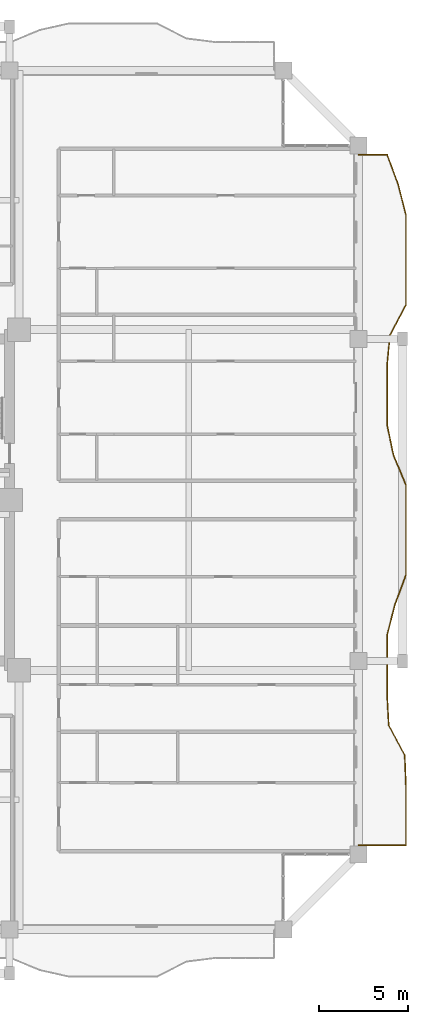
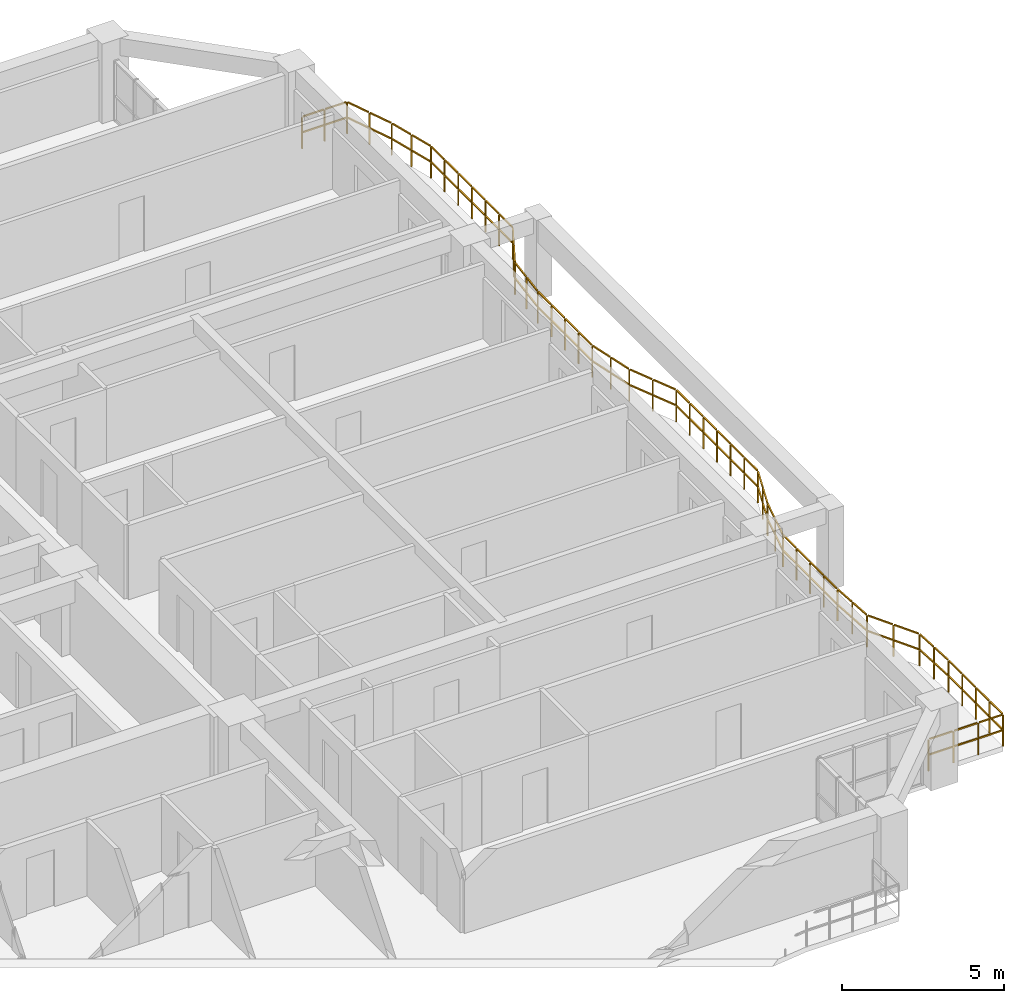
# One storey, part 25 of 26: 1 railing.
"""IFC4 building model written with IfcOpenShell, lengths in metres."""

from ifc_helpers import new_model, si_unit, direction, frame, origin, origin_2d, place, context, subcontext, project, spatial, rectangle, extrude, material, type_object, element, save


model = new_model("IFC4")

# Units and contexts
model_context = context("Model", 3, precision=1e-05, world=origin(), true_north=direction((0.0, 1.0)))
body_context = subcontext(model_context, "Body", "Model", "MODEL_VIEW")
ifc_project = project(units=[si_unit("LENGTHUNIT", "METRE"), si_unit("AREAUNIT", "SQUARE_METRE"), si_unit("VOLUMEUNIT", "CUBIC_METRE"), si_unit("PLANEANGLEUNIT", "RADIAN"), si_unit("MASSUNIT", "GRAM", prefix="KILO")], contexts=[model_context])

# Site, building, storey
site_placement = place(None, origin())
site = spatial("IfcSite", under=ifc_project, at=site_placement, CompositionType="ELEMENT")
building_placement = place(site_placement, origin())
building = spatial("IfcBuilding", under=site, at=building_placement, Name="Saelheon Loggia Tower", CompositionType="ELEMENT")
storey_placement = place(building_placement, frame((0.0, 0.0, 116.85009765625)))
storey = spatial("IfcBuildingStorey", under=building, at=storey_placement, Name="L37", CompositionType="ELEMENT", Elevation=116.85009765625)

# Railing
ifc_material = material(Name="Architectural Precast Concrete and Laminated Glass Guard", Category="concrete")
railing_type = type_object("IfcRailingType", Name="Guard_Loggia_RL_LOG", PredefinedType="BALUSTRADE", material=ifc_material)
railing_placement = place(storey_placement, frame((64.0, 7.699951171875, 0.0)))
element("IfcRailing", 1, at=railing_placement, inside=storey, type_object=railing_type, Name="L37 East Loggia Balustrade", PredefinedType="BALUSTRADE", context=body_context, shape_type="SweptSolid", body=[
    extrude(rectangle(XDim=0.048095703125, YDim=0.048095703125, at=origin_2d()), frame((0.033203125, 0.0, 1.19580078125), z_axis=(1.0, 0.0, 0.0), x_axis=(0.0, 1.0, 0.0)), (0.0, 0.0, 1.0), 0.81689453125),
    extrude(rectangle(XDim=0.048095703125, YDim=0.048095703125, at=origin_2d()), frame((0.033203125, 0.0, 0.60986328125), z_axis=(1.0, 0.0, 0.0), x_axis=(0.0, 1.0, 0.0)), (0.0, 0.0, 1.0), 0.81689453125),
    extrude(rectangle(XDim=0.048095703125, YDim=0.048095703125, at=origin_2d()), frame((0.91650390625, 0.0, 1.19580078125), z_axis=(1.0, 0.0, 0.0), x_axis=(0.0, 1.0, 0.0)), (0.0, 0.0, 1.0), 0.81689453125),
    extrude(rectangle(XDim=0.048095703125, YDim=0.048095703125, at=origin_2d()), frame((0.91650390625, 0.0, 0.60986328125), z_axis=(1.0, 0.0, 0.0), x_axis=(0.0, 1.0, 0.0)), (0.0, 0.0, 1.0), 0.81689453125),
    extrude(rectangle(XDim=0.048095703125, YDim=0.048095703125, at=origin_2d()), frame((1.7998046875, 0.0, 1.19580078125), z_axis=(1.0, 0.0, 0.0), x_axis=(0.0, 1.0, 0.0)), (0.0, 0.0, 1.0), 0.81689453125),
    extrude(rectangle(XDim=0.048095703125, YDim=0.048095703125, at=origin_2d()), frame((1.7998046875, 0.0, 0.60986328125), z_axis=(1.0, 0.0, 0.0), x_axis=(0.0, 1.0, 0.0)), (0.0, 0.0, 1.0), 0.81689453125),
    extrude(rectangle(XDim=0.048095703125, YDim=0.048095703125, at=origin_2d()), frame((2.64990234375, 0.033203125, 1.19580078125), z_axis=(0.0, 1.0, 0.0), x_axis=(-1.0, 0.0, 0.0)), (0.0, 0.0, 1.0), 0.772705078125),
    extrude(rectangle(XDim=0.048095703125, YDim=0.048095703125, at=origin_2d()), frame((2.64990234375, 0.033203125, 0.60986328125), z_axis=(0.0, 1.0, 0.0), x_axis=(-1.0, 0.0, 0.0)), (0.0, 0.0, 1.0), 0.772705078125),
    extrude(rectangle(XDim=0.048095703125, YDim=0.048095703125, at=origin_2d()), frame((2.64990234375, 0.87255859375, 1.19580078125), z_axis=(0.0, 1.0, 0.0), x_axis=(-1.0, 0.0, 0.0)), (0.0, 0.0, 1.0), 0.772705078125),
    extrude(rectangle(XDim=0.048095703125, YDim=0.048095703125, at=origin_2d()), frame((2.64990234375, 0.87255859375, 0.60986328125), z_axis=(0.0, 1.0, 0.0), x_axis=(-1.0, 0.0, 0.0)), (0.0, 0.0, 1.0), 0.772705078125),
    extrude(rectangle(XDim=0.048095703125, YDim=0.048095703125, at=origin_2d()), frame((2.64990234375, 1.711669921875, 1.19580078125), z_axis=(0.0, 1.0, 0.0), x_axis=(-1.0, 0.0, 0.0)), (0.0, 0.0, 1.0), 0.7724609375),
    extrude(rectangle(XDim=0.048095703125, YDim=0.048095703125, at=origin_2d()), frame((2.64990234375, 1.711669921875, 0.60986328125), z_axis=(0.0, 1.0, 0.0), x_axis=(-1.0, 0.0, 0.0)), (0.0, 0.0, 1.0), 0.7724609375),
    extrude(rectangle(XDim=0.048095703125, YDim=0.048095703125, at=origin_2d()), frame((2.64990234375, 2.55078125, 1.19580078125), z_axis=(0.0, 1.0, 0.0), x_axis=(-1.0, 0.0, 0.0)), (0.0, 0.0, 1.0), 0.7724609375),
    extrude(rectangle(XDim=0.048095703125, YDim=0.048095703125, at=origin_2d()), frame((2.64990234375, 2.55078125, 0.60986328125), z_axis=(0.0, 1.0, 0.0), x_axis=(-1.0, 0.0, 0.0)), (0.0, 0.0, 1.0), 0.7724609375),
    extrude(rectangle(XDim=0.048095703125, YDim=0.048095703125, at=origin_2d()), frame((2.648681640625, 3.3896484375, 1.19580078125), z_axis=(-0.038516851919, 0.999257950741, 0.0), x_axis=(-0.999257950741, -0.038516851919, 0.0)), (0.0, 0.0, 1.0), 0.7734375),
    extrude(rectangle(XDim=0.048095703125, YDim=0.048095703125, at=origin_2d()), frame((2.648681640625, 3.3896484375, 0.60986328125), z_axis=(-0.038516851919, 0.999257950741, 0.0), x_axis=(-0.999257950741, -0.038516851919, 0.0)), (0.0, 0.0, 1.0), 0.7734375),
    extrude(rectangle(XDim=0.048095703125, YDim=0.048095703125, at=origin_2d()), frame((2.6162109375, 4.22900390625, 1.19580078125), z_axis=(-0.038516851919, 0.999257950741, 0.0), x_axis=(-0.999257950741, -0.038516851919, 0.0)), (0.0, 0.0, 1.0), 0.7734375),
    extrude(rectangle(XDim=0.048095703125, YDim=0.048095703125, at=origin_2d()), frame((2.6162109375, 4.22900390625, 0.60986328125), z_axis=(-0.038516851919, 0.999257950741, 0.0), x_axis=(-0.999257950741, -0.038516851919, 0.0)), (0.0, 0.0, 1.0), 0.7734375),
    extrude(rectangle(XDim=0.048095703125, YDim=0.048095703125, at=origin_2d()), frame((2.569580078125, 5.064208984375, 1.19580078125), z_axis=(-0.470574910471, 0.88236004762, 0.0), x_axis=(-0.88236004762, -0.470574910471, 0.0)), (0.0, 0.0, 1.0), 0.884521484375),
    extrude(rectangle(XDim=0.048095703125, YDim=0.048095703125, at=origin_2d()), frame((2.569580078125, 5.064208984375, 0.60986328125), z_axis=(-0.470574910471, 0.88236004762, 0.0), x_axis=(-0.88236004762, -0.470574910471, 0.0)), (0.0, 0.0, 1.0), 0.884521484375),
    extrude(rectangle(XDim=0.048095703125, YDim=0.048095703125, at=origin_2d()), frame((2.1220703125, 5.9033203125, 1.19580078125), z_axis=(-0.470574910471, 0.88236004762, 0.0), x_axis=(-0.88236004762, -0.470574910471, 0.0)), (0.0, 0.0, 1.0), 0.884521484375),
    extrude(rectangle(XDim=0.048095703125, YDim=0.048095703125, at=origin_2d()), frame((2.1220703125, 5.9033203125, 0.60986328125), z_axis=(-0.470574910471, 0.88236004762, 0.0), x_axis=(-0.88236004762, -0.470574910471, 0.0)), (0.0, 0.0, 1.0), 0.884521484375),
    extrude(rectangle(XDim=0.048095703125, YDim=0.048095703125, at=origin_2d()), frame((1.6884765625, 6.746337890625, 1.19580078125), z_axis=(-0.053603359192, 0.99856230646, 0.0), x_axis=(-0.99856230646, -0.053603359192, 0.0)), (0.0, 0.0, 1.0), 0.77392578125),
    extrude(rectangle(XDim=0.048095703125, YDim=0.048095703125, at=origin_2d()), frame((1.6884765625, 6.746337890625, 0.60986328125), z_axis=(-0.053603359192, 0.99856230646, 0.0), x_axis=(-0.99856230646, -0.053603359192, 0.0)), (0.0, 0.0, 1.0), 0.77392578125),
    extrude(rectangle(XDim=0.048095703125, YDim=0.048095703125, at=origin_2d()), frame((1.643310546875, 7.58544921875, 1.19580078125), z_axis=(-0.053603359192, 0.99856230646, 0.0), x_axis=(-0.99856230646, -0.053603359192, 0.0)), (0.0, 0.0, 1.0), 0.77392578125),
    extrude(rectangle(XDim=0.048095703125, YDim=0.048095703125, at=origin_2d()), frame((1.643310546875, 7.58544921875, 0.60986328125), z_axis=(-0.053603359192, 0.99856230646, 0.0), x_axis=(-0.99856230646, -0.053603359192, 0.0)), (0.0, 0.0, 1.0), 0.77392578125),
    extrude(rectangle(XDim=0.048095703125, YDim=0.048095703125, at=origin_2d()), frame((1.60009765625, 8.424560546875, 1.19580078125), z_axis=(0.0, 1.0, 0.0), x_axis=(-1.0, 0.0, 0.0)), (0.0, 0.0, 1.0), 0.772705078125),
    extrude(rectangle(XDim=0.048095703125, YDim=0.048095703125, at=origin_2d()), frame((1.60009765625, 8.424560546875, 0.60986328125), z_axis=(0.0, 1.0, 0.0), x_axis=(-1.0, 0.0, 0.0)), (0.0, 0.0, 1.0), 0.772705078125),
    extrude(rectangle(XDim=0.048095703125, YDim=0.048095703125, at=origin_2d()), frame((1.60009765625, 9.263671875, 1.19580078125), z_axis=(0.0, 1.0, 0.0), x_axis=(-1.0, 0.0, 0.0)), (0.0, 0.0, 1.0), 0.772705078125),
    extrude(rectangle(XDim=0.048095703125, YDim=0.048095703125, at=origin_2d()), frame((1.60009765625, 9.263671875, 0.60986328125), z_axis=(0.0, 1.0, 0.0), x_axis=(-1.0, 0.0, 0.0)), (0.0, 0.0, 1.0), 0.772705078125),
    extrude(rectangle(XDim=0.048095703125, YDim=0.048095703125, at=origin_2d()), frame((1.60009765625, 10.102783203125, 1.19580078125), z_axis=(0.0, 1.0, 0.0), x_axis=(-1.0, 0.0, 0.0)), (0.0, 0.0, 1.0), 0.772705078125),
    extrude(rectangle(XDim=0.048095703125, YDim=0.048095703125, at=origin_2d()), frame((1.60009765625, 10.102783203125, 0.60986328125), z_axis=(0.0, 1.0, 0.0), x_axis=(-1.0, 0.0, 0.0)), (0.0, 0.0, 1.0), 0.772705078125),
    extrude(rectangle(XDim=0.048095703125, YDim=0.048095703125, at=origin_2d()), frame((1.60009765625, 10.94189453125, 1.19580078125), z_axis=(0.0, 1.0, 0.0), x_axis=(-1.0, 0.0, 0.0)), (0.0, 0.0, 1.0), 0.772705078125),
    extrude(rectangle(XDim=0.048095703125, YDim=0.048095703125, at=origin_2d()), frame((1.60009765625, 10.94189453125, 0.60986328125), z_axis=(0.0, 1.0, 0.0), x_axis=(-1.0, 0.0, 0.0)), (0.0, 0.0, 1.0), 0.772705078125),
    extrude(rectangle(XDim=0.048095703125, YDim=0.048095703125, at=origin_2d()), frame((1.6083984375, 11.780029296875, 1.19580078125), z_axis=(0.247208698516, 0.968962259006, 0.0), x_axis=(-0.968962259006, 0.247208698516, 0.0)), (0.0, 0.0, 1.0), 0.799560546875),
    extrude(rectangle(XDim=0.048095703125, YDim=0.048095703125, at=origin_2d()), frame((1.6083984375, 11.780029296875, 0.60986328125), z_axis=(0.247208698516, 0.968962259006, 0.0), x_axis=(-0.968962259006, 0.247208698516, 0.0)), (0.0, 0.0, 1.0), 0.799560546875),
    extrude(rectangle(XDim=0.048095703125, YDim=0.048095703125, at=origin_2d()), frame((1.822509765625, 12.619140625, 1.19580078125), z_axis=(0.247208698516, 0.968962259006, 0.0), x_axis=(-0.968962259006, 0.247208698516, 0.0)), (0.0, 0.0, 1.0), 0.799560546875),
    extrude(rectangle(XDim=0.048095703125, YDim=0.048095703125, at=origin_2d()), frame((1.822509765625, 12.619140625, 0.60986328125), z_axis=(0.247208698516, 0.968962259006, 0.0), x_axis=(-0.968962259006, 0.247208698516, 0.0)), (0.0, 0.0, 1.0), 0.799560546875),
    extrude(rectangle(XDim=0.048095703125, YDim=0.048095703125, at=origin_2d()), frame((2.039794921875, 13.45751953125, 1.19580078125), z_axis=(0.347367679111, 0.937729009634, 0.0), x_axis=(-0.937729009634, 0.347367679111, 0.0)), (0.0, 0.0, 1.0), 0.828125),
    extrude(rectangle(XDim=0.048095703125, YDim=0.048095703125, at=origin_2d()), frame((2.039794921875, 13.45751953125, 0.60986328125), z_axis=(0.347367679111, 0.937729009634, 0.0), x_axis=(-0.937729009634, 0.347367679111, 0.0)), (0.0, 0.0, 1.0), 0.828125),
    extrude(rectangle(XDim=0.048095703125, YDim=0.048095703125, at=origin_2d()), frame((2.3505859375, 14.29638671875, 1.19580078125), z_axis=(0.347367679111, 0.937729009634, 0.0), x_axis=(-0.937729009634, 0.347367679111, 0.0)), (0.0, 0.0, 1.0), 0.828125),
    extrude(rectangle(XDim=0.048095703125, YDim=0.048095703125, at=origin_2d()), frame((2.3505859375, 14.29638671875, 0.60986328125), z_axis=(0.347367679111, 0.937729009634, 0.0), x_axis=(-0.937729009634, 0.347367679111, 0.0)), (0.0, 0.0, 1.0), 0.828125),
    extrude(rectangle(XDim=0.048095703125, YDim=0.048095703125, at=origin_2d()), frame((2.64990234375, 15.137451171875, 1.19580078125), z_axis=(0.0, 1.0, 0.0), x_axis=(-1.0, 0.0, 0.0)), (0.0, 0.0, 1.0), 0.772705078125),
    extrude(rectangle(XDim=0.048095703125, YDim=0.048095703125, at=origin_2d()), frame((2.64990234375, 15.137451171875, 0.60986328125), z_axis=(0.0, 1.0, 0.0), x_axis=(-1.0, 0.0, 0.0)), (0.0, 0.0, 1.0), 0.772705078125),
    extrude(rectangle(XDim=0.048095703125, YDim=0.048095703125, at=origin_2d()), frame((2.64990234375, 15.976806640625, 1.19580078125), z_axis=(0.0, 1.0, 0.0), x_axis=(-1.0, 0.0, 0.0)), (0.0, 0.0, 1.0), 0.772705078125),
    extrude(rectangle(XDim=0.048095703125, YDim=0.048095703125, at=origin_2d()), frame((2.64990234375, 15.976806640625, 0.60986328125), z_axis=(0.0, 1.0, 0.0), x_axis=(-1.0, 0.0, 0.0)), (0.0, 0.0, 1.0), 0.772705078125),
    extrude(rectangle(XDim=0.048095703125, YDim=0.048095703125, at=origin_2d()), frame((2.64990234375, 16.81591796875, 1.19580078125), z_axis=(0.0, 1.0, 0.0), x_axis=(-1.0, 0.0, 0.0)), (0.0, 0.0, 1.0), 0.772705078125),
    extrude(rectangle(XDim=0.048095703125, YDim=0.048095703125, at=origin_2d()), frame((2.64990234375, 16.81591796875, 0.60986328125), z_axis=(0.0, 1.0, 0.0), x_axis=(-1.0, 0.0, 0.0)), (0.0, 0.0, 1.0), 0.772705078125),
    extrude(rectangle(XDim=0.048095703125, YDim=0.048095703125, at=origin_2d()), frame((2.64990234375, 17.655029296875, 1.19580078125), z_axis=(0.0, 1.0, 0.0), x_axis=(-1.0, 0.0, 0.0)), (0.0, 0.0, 1.0), 0.772705078125),
    extrude(rectangle(XDim=0.048095703125, YDim=0.048095703125, at=origin_2d()), frame((2.64990234375, 17.655029296875, 0.60986328125), z_axis=(0.0, 1.0, 0.0), x_axis=(-1.0, 0.0, 0.0)), (0.0, 0.0, 1.0), 0.772705078125),
    extrude(rectangle(XDim=0.048095703125, YDim=0.048095703125, at=origin_2d()), frame((2.64990234375, 18.494140625, 1.19580078125), z_axis=(0.0, 1.0, 0.0), x_axis=(-1.0, 0.0, 0.0)), (0.0, 0.0, 1.0), 0.772705078125),
    extrude(rectangle(XDim=0.048095703125, YDim=0.048095703125, at=origin_2d()), frame((2.64990234375, 18.494140625, 0.60986328125), z_axis=(0.0, 1.0, 0.0), x_axis=(-1.0, 0.0, 0.0)), (0.0, 0.0, 1.0), 0.772705078125),
    extrude(rectangle(XDim=0.048095703125, YDim=0.048095703125, at=origin_2d()), frame((2.64990234375, 19.333251953125, 1.19580078125), z_axis=(0.0, 1.0, 0.0), x_axis=(-1.0, 0.0, 0.0)), (0.0, 0.0, 1.0), 0.772705078125),
    extrude(rectangle(XDim=0.048095703125, YDim=0.048095703125, at=origin_2d()), frame((2.64990234375, 19.333251953125, 0.60986328125), z_axis=(0.0, 1.0, 0.0), x_axis=(-1.0, 0.0, 0.0)), (0.0, 0.0, 1.0), 0.772705078125),
    extrude(rectangle(XDim=0.048095703125, YDim=0.048095703125, at=origin_2d()), frame((2.63720703125, 20.169921875, 1.19580078125), z_axis=(-0.384481881871, 0.923132537891, 0.0), x_axis=(-0.923132537891, -0.384481881871, 0.0)), (0.0, 0.0, 1.0), 0.842529296875),
    extrude(rectangle(XDim=0.048095703125, YDim=0.048095703125, at=origin_2d()), frame((2.63720703125, 20.169921875, 0.60986328125), z_axis=(-0.384481881871, 0.923132537891, 0.0), x_axis=(-0.923132537891, -0.384481881871, 0.0)), (0.0, 0.0, 1.0), 0.842529296875),
    extrude(rectangle(XDim=0.048095703125, YDim=0.048095703125, at=origin_2d()), frame((2.28759765625, 21.009033203125, 1.19580078125), z_axis=(-0.384481881871, 0.923132537891, 0.0), x_axis=(-0.923132537891, -0.384481881871, 0.0)), (0.0, 0.0, 1.0), 0.842529296875),
    extrude(rectangle(XDim=0.048095703125, YDim=0.048095703125, at=origin_2d()), frame((2.28759765625, 21.009033203125, 0.60986328125), z_axis=(-0.384481881871, 0.923132537891, 0.0), x_axis=(-0.923132537891, -0.384481881871, 0.0)), (0.0, 0.0, 1.0), 0.842529296875),
    extrude(rectangle(XDim=0.048095703125, YDim=0.048095703125, at=origin_2d()), frame((1.944091796875, 21.849853515625, 1.19580078125), z_axis=(-0.204596686386, 0.978846359711, 0.0), x_axis=(-0.978846359711, -0.204596686386, 0.0)), (0.0, 0.0, 1.0), 0.791015625),
    extrude(rectangle(XDim=0.048095703125, YDim=0.048095703125, at=origin_2d()), frame((1.944091796875, 21.849853515625, 0.60986328125), z_axis=(-0.204596686386, 0.978846359711, 0.0), x_axis=(-0.978846359711, -0.204596686386, 0.0)), (0.0, 0.0, 1.0), 0.791015625),
    extrude(rectangle(XDim=0.048095703125, YDim=0.048095703125, at=origin_2d()), frame((1.768798828125, 22.689208984375, 1.19580078125), z_axis=(-0.204596686386, 0.978846359711, 0.0), x_axis=(-0.978846359711, -0.204596686386, 0.0)), (0.0, 0.0, 1.0), 0.791015625),
    extrude(rectangle(XDim=0.048095703125, YDim=0.048095703125, at=origin_2d()), frame((1.768798828125, 22.689208984375, 0.60986328125), z_axis=(-0.204596686386, 0.978846359711, 0.0), x_axis=(-0.978846359711, -0.204596686386, 0.0)), (0.0, 0.0, 1.0), 0.791015625),
    extrude(rectangle(XDim=0.048095703125, YDim=0.048095703125, at=origin_2d()), frame((1.60009765625, 23.529052734375, 1.19580078125), z_axis=(0.0, 1.0, 0.0), x_axis=(-1.0, 0.0, 0.0)), (0.0, 0.0, 1.0), 0.7724609375),
    extrude(rectangle(XDim=0.048095703125, YDim=0.048095703125, at=origin_2d()), frame((1.60009765625, 23.529052734375, 0.60986328125), z_axis=(0.0, 1.0, 0.0), x_axis=(-1.0, 0.0, 0.0)), (0.0, 0.0, 1.0), 0.7724609375),
    extrude(rectangle(XDim=0.048095703125, YDim=0.048095703125, at=origin_2d()), frame((1.60009765625, 24.3681640625, 1.19580078125), z_axis=(0.0, 1.0, 0.0), x_axis=(-1.0, 0.0, 0.0)), (0.0, 0.0, 1.0), 0.7724609375),
    extrude(rectangle(XDim=0.048095703125, YDim=0.048095703125, at=origin_2d()), frame((1.60009765625, 24.3681640625, 0.60986328125), z_axis=(0.0, 1.0, 0.0), x_axis=(-1.0, 0.0, 0.0)), (0.0, 0.0, 1.0), 0.7724609375),
    extrude(rectangle(XDim=0.048095703125, YDim=0.048095703125, at=origin_2d()), frame((1.60009765625, 25.20703125, 1.19580078125), z_axis=(0.0, 1.0, 0.0), x_axis=(-1.0, 0.0, 0.0)), (0.0, 0.0, 1.0), 0.772705078125),
    extrude(rectangle(XDim=0.048095703125, YDim=0.048095703125, at=origin_2d()), frame((1.60009765625, 25.20703125, 0.60986328125), z_axis=(0.0, 1.0, 0.0), x_axis=(-1.0, 0.0, 0.0)), (0.0, 0.0, 1.0), 0.772705078125),
    extrude(rectangle(XDim=0.048095703125, YDim=0.048095703125, at=origin_2d()), frame((1.60009765625, 26.04638671875, 1.19580078125), z_axis=(0.0, 1.0, 0.0), x_axis=(-1.0, 0.0, 0.0)), (0.0, 0.0, 1.0), 0.772705078125),
    extrude(rectangle(XDim=0.048095703125, YDim=0.048095703125, at=origin_2d()), frame((1.60009765625, 26.04638671875, 0.60986328125), z_axis=(0.0, 1.0, 0.0), x_axis=(-1.0, 0.0, 0.0)), (0.0, 0.0, 1.0), 0.772705078125),
    extrude(rectangle(XDim=0.048095703125, YDim=0.048095703125, at=origin_2d()), frame((1.603271484375, 26.88525390625, 1.19580078125), z_axis=(0.097295853683, 0.995255503304, 0.0), x_axis=(-0.995255503304, 0.097295853683, 0.0)), (0.0, 0.0, 1.0), 0.776611328125),
    extrude(rectangle(XDim=0.048095703125, YDim=0.048095703125, at=origin_2d()), frame((1.603271484375, 26.88525390625, 0.60986328125), z_axis=(0.097295853683, 0.995255503304, 0.0), x_axis=(-0.995255503304, 0.097295853683, 0.0)), (0.0, 0.0, 1.0), 0.776611328125),
    extrude(rectangle(XDim=0.048095703125, YDim=0.048095703125, at=origin_2d()), frame((1.685302734375, 27.724365234375, 1.19580078125), z_axis=(0.097295853683, 0.995255503304, 0.0), x_axis=(-0.995255503304, 0.097295853683, 0.0)), (0.0, 0.0, 1.0), 0.776611328125),
    extrude(rectangle(XDim=0.048095703125, YDim=0.048095703125, at=origin_2d()), frame((1.685302734375, 27.724365234375, 0.60986328125), z_axis=(0.097295853683, 0.995255503304, 0.0), x_axis=(-0.995255503304, 0.097295853683, 0.0)), (0.0, 0.0, 1.0), 0.776611328125),
    extrude(rectangle(XDim=0.048095703125, YDim=0.048095703125, at=origin_2d()), frame((1.77978515625, 28.559814453125, 1.19580078125), z_axis=(0.466764209915, 0.884381802358, 0.0), x_axis=(-0.884381802358, 0.466764209915, 0.0)), (0.0, 0.0, 1.0), 0.88232421875),
    extrude(rectangle(XDim=0.048095703125, YDim=0.048095703125, at=origin_2d()), frame((1.77978515625, 28.559814453125, 0.60986328125), z_axis=(0.466764209915, 0.884381802358, 0.0), x_axis=(-0.884381802358, 0.466764209915, 0.0)), (0.0, 0.0, 1.0), 0.88232421875),
    extrude(rectangle(XDim=0.048095703125, YDim=0.048095703125, at=origin_2d()), frame((2.22265625, 29.39892578125, 1.19580078125), z_axis=(0.466764209915, 0.884381802358, 0.0), x_axis=(-0.884381802358, 0.466764209915, 0.0)), (0.0, 0.0, 1.0), 0.88232421875),
    extrude(rectangle(XDim=0.048095703125, YDim=0.048095703125, at=origin_2d()), frame((2.22265625, 29.39892578125, 0.60986328125), z_axis=(0.466764209915, 0.884381802358, 0.0), x_axis=(-0.884381802358, 0.466764209915, 0.0)), (0.0, 0.0, 1.0), 0.88232421875),
    extrude(rectangle(XDim=0.048095703125, YDim=0.048095703125, at=origin_2d()), frame((2.64990234375, 30.241943359375, 1.19580078125), z_axis=(0.0, 1.0, 0.0), x_axis=(-1.0, 0.0, 0.0)), (0.0, 0.0, 1.0), 0.772705078125),
    extrude(rectangle(XDim=0.048095703125, YDim=0.048095703125, at=origin_2d()), frame((2.64990234375, 30.241943359375, 0.60986328125), z_axis=(0.0, 1.0, 0.0), x_axis=(-1.0, 0.0, 0.0)), (0.0, 0.0, 1.0), 0.772705078125),
    extrude(rectangle(XDim=0.048095703125, YDim=0.048095703125, at=origin_2d()), frame((2.64990234375, 31.0810546875, 1.19580078125), z_axis=(0.0, 1.0, 0.0), x_axis=(-1.0, 0.0, 0.0)), (0.0, 0.0, 1.0), 0.772705078125),
    extrude(rectangle(XDim=0.048095703125, YDim=0.048095703125, at=origin_2d()), frame((2.64990234375, 31.0810546875, 0.60986328125), z_axis=(0.0, 1.0, 0.0), x_axis=(-1.0, 0.0, 0.0)), (0.0, 0.0, 1.0), 0.772705078125),
    extrude(rectangle(XDim=0.048095703125, YDim=0.048095703125, at=origin_2d()), frame((2.64990234375, 31.920166015625, 1.19580078125), z_axis=(0.0, 1.0, 0.0), x_axis=(-1.0, 0.0, 0.0)), (0.0, 0.0, 1.0), 0.772705078125),
    extrude(rectangle(XDim=0.048095703125, YDim=0.048095703125, at=origin_2d()), frame((2.64990234375, 31.920166015625, 0.60986328125), z_axis=(0.0, 1.0, 0.0), x_axis=(-1.0, 0.0, 0.0)), (0.0, 0.0, 1.0), 0.772705078125),
    extrude(rectangle(XDim=0.048095703125, YDim=0.048095703125, at=origin_2d()), frame((2.64990234375, 32.75927734375, 1.19580078125), z_axis=(0.0, 1.0, 0.0), x_axis=(-1.0, 0.0, 0.0)), (0.0, 0.0, 1.0), 0.772705078125),
    extrude(rectangle(XDim=0.048095703125, YDim=0.048095703125, at=origin_2d()), frame((2.64990234375, 32.75927734375, 0.60986328125), z_axis=(0.0, 1.0, 0.0), x_axis=(-1.0, 0.0, 0.0)), (0.0, 0.0, 1.0), 0.772705078125),
    extrude(rectangle(XDim=0.048095703125, YDim=0.048095703125, at=origin_2d()), frame((2.64990234375, 33.598388671875, 1.19580078125), z_axis=(0.0, 1.0, 0.0), x_axis=(-1.0, 0.0, 0.0)), (0.0, 0.0, 1.0), 0.772705078125),
    extrude(rectangle(XDim=0.048095703125, YDim=0.048095703125, at=origin_2d()), frame((2.64990234375, 33.598388671875, 0.60986328125), z_axis=(0.0, 1.0, 0.0), x_axis=(-1.0, 0.0, 0.0)), (0.0, 0.0, 1.0), 0.772705078125),
    extrude(rectangle(XDim=0.048095703125, YDim=0.048095703125, at=origin_2d()), frame((2.64990234375, 34.437744140625, 1.19580078125), z_axis=(0.0, 1.0, 0.0), x_axis=(-1.0, 0.0, 0.0)), (0.0, 0.0, 1.0), 0.772705078125),
    extrude(rectangle(XDim=0.048095703125, YDim=0.048095703125, at=origin_2d()), frame((2.64990234375, 34.437744140625, 0.60986328125), z_axis=(0.0, 1.0, 0.0), x_axis=(-1.0, 0.0, 0.0)), (0.0, 0.0, 1.0), 0.772705078125),
    extrude(rectangle(XDim=0.048095703125, YDim=0.048095703125, at=origin_2d()), frame((2.6416015625, 35.27587890625, 1.19580078125), z_axis=(-0.248334659432, 0.968674298681, 0.0), x_axis=(-0.968674298681, -0.248334659432, 0.0)), (0.0, 0.0, 1.0), 0.799560546875),
    extrude(rectangle(XDim=0.048095703125, YDim=0.048095703125, at=origin_2d()), frame((2.6416015625, 35.27587890625, 0.60986328125), z_axis=(-0.248334659432, 0.968674298681, 0.0), x_axis=(-0.968674298681, -0.248334659432, 0.0)), (0.0, 0.0, 1.0), 0.799560546875),
    extrude(rectangle(XDim=0.048095703125, YDim=0.048095703125, at=origin_2d()), frame((2.426513671875, 36.11474609375, 1.19580078125), z_axis=(-0.248334659432, 0.968674298681, 0.0), x_axis=(-0.968674298681, -0.248334659432, 0.0)), (0.0, 0.0, 1.0), 0.799560546875),
    extrude(rectangle(XDim=0.048095703125, YDim=0.048095703125, at=origin_2d()), frame((2.426513671875, 36.11474609375, 0.60986328125), z_axis=(-0.248334659432, 0.968674298681, 0.0), x_axis=(-0.968674298681, -0.248334659432, 0.0)), (0.0, 0.0, 1.0), 0.799560546875),
    extrude(rectangle(XDim=0.048095703125, YDim=0.048095703125, at=origin_2d()), frame((2.208251953125, 36.952880859375, 1.19580078125), z_axis=(-0.346318659518, 0.938116936245, 0.0), x_axis=(-0.938116936245, -0.346318659518, 0.0)), (0.0, 0.0, 1.0), 0.828125),
    extrude(rectangle(XDim=0.048095703125, YDim=0.048095703125, at=origin_2d()), frame((2.208251953125, 36.952880859375, 0.60986328125), z_axis=(-0.346318659518, 0.938116936245, 0.0), x_axis=(-0.938116936245, -0.346318659518, 0.0)), (0.0, 0.0, 1.0), 0.828125),
    extrude(rectangle(XDim=0.048095703125, YDim=0.048095703125, at=origin_2d()), frame((1.8984375, 37.7919921875, 1.19580078125), z_axis=(-0.346318659518, 0.938116936245, 0.0), x_axis=(-0.938116936245, -0.346318659518, 0.0)), (0.0, 0.0, 1.0), 0.828125),
    extrude(rectangle(XDim=0.048095703125, YDim=0.048095703125, at=origin_2d()), frame((1.8984375, 37.7919921875, 0.60986328125), z_axis=(-0.346318659518, 0.938116936245, 0.0), x_axis=(-0.938116936245, -0.346318659518, 0.0)), (0.0, 0.0, 1.0), 0.828125),
    extrude(rectangle(XDim=0.048095703125, YDim=0.048095703125, at=origin_2d()), frame((1.56689453125, 38.60009765625, 1.19580078125), z_axis=(-1.0, 0.0, 0.0), x_axis=(0.0, -1.0, 0.0)), (0.0, 0.0, 1.0), 0.733642578125),
    extrude(rectangle(XDim=0.048095703125, YDim=0.048095703125, at=origin_2d()), frame((1.56689453125, 38.60009765625, 0.60986328125), z_axis=(-1.0, 0.0, 0.0), x_axis=(0.0, -1.0, 0.0)), (0.0, 0.0, 1.0), 0.733642578125),
    extrude(rectangle(XDim=0.048095703125, YDim=0.048095703125, at=origin_2d()), frame((0.766845703125, 38.60009765625, 1.19580078125), z_axis=(-1.0, 0.0, 0.0), x_axis=(0.0, -1.0, 0.0)), (0.0, 0.0, 1.0), 0.733642578125),
    extrude(rectangle(XDim=0.048095703125, YDim=0.048095703125, at=origin_2d()), frame((0.766845703125, 38.60009765625, 0.60986328125), z_axis=(-1.0, 0.0, 0.0), x_axis=(0.0, -1.0, 0.0)), (0.0, 0.0, 1.0), 0.733642578125),
    extrude(rectangle(XDim=0.0419921875, YDim=0.0419921875, at=origin_2d()), origin(), (0.0, 0.0, 1.0), 1.16796875),
    extrude(rectangle(XDim=0.0419921875, YDim=0.0419921875, at=origin_2d()), frame((0.88330078125, 0.0, 0.0)), (0.0, 0.0, 1.0), 1.16796875),
    extrude(rectangle(XDim=0.0419921875, YDim=0.0419921875, at=origin_2d()), frame((1.7666015625, 0.0, 0.0)), (0.0, 0.0, 1.0), 1.16796875),
    extrude(rectangle(XDim=0.0419921875, YDim=0.0419921875, at=origin_2d()), frame((2.64990234375, 0.0, 0.0)), (0.0, 0.0, 1.0), 1.16796875),
    extrude(rectangle(XDim=0.0419921875, YDim=0.0419921875, at=origin_2d()), frame((2.64990234375, 0.83935546875, 0.0)), (0.0, 0.0, 1.0), 1.16796875),
    extrude(rectangle(XDim=0.0419921875, YDim=0.0419921875, at=origin_2d()), frame((2.64990234375, 1.678466796875, 0.0)), (0.0, 0.0, 1.0), 1.16796875),
    extrude(rectangle(XDim=0.0419921875, YDim=0.0419921875, at=origin_2d()), frame((2.64990234375, 2.517578125, 0.0)), (0.0, 0.0, 1.0), 1.16796875),
    extrude(rectangle(XDim=0.0419921875, YDim=0.0419921875, at=origin_2d()), frame((2.64990234375, 3.3564453125, 0.0)), (0.0, 0.0, 1.0), 1.16796875),
    extrude(rectangle(XDim=0.0419921875, YDim=0.0419921875, at=origin_2d()), frame((2.61767578125, 4.19580078125, 0.0)), (0.0, 0.0, 1.0), 1.16796875),
    extrude(rectangle(XDim=0.0419921875, YDim=0.0419921875, at=origin_2d()), frame((2.585205078125, 5.034912109375, 0.0)), (0.0, 0.0, 1.0), 1.16796875),
    extrude(rectangle(XDim=0.0419921875, YDim=0.0419921875, at=origin_2d()), frame((2.1376953125, 5.8740234375, 0.0)), (0.0, 0.0, 1.0), 1.16796875),
    extrude(rectangle(XDim=0.0419921875, YDim=0.0419921875, at=origin_2d()), frame((1.690185546875, 6.713134765625, 0.0)), (0.0, 0.0, 1.0), 1.16796875),
    extrude(rectangle(XDim=0.0419921875, YDim=0.0419921875, at=origin_2d()), frame((1.64501953125, 7.55224609375, 0.0)), (0.0, 0.0, 1.0), 1.16796875),
    extrude(rectangle(XDim=0.0419921875, YDim=0.0419921875, at=origin_2d()), frame((1.60009765625, 8.391357421875, 0.0)), (0.0, 0.0, 1.0), 1.16796875),
    extrude(rectangle(XDim=0.0419921875, YDim=0.0419921875, at=origin_2d()), frame((1.60009765625, 9.23046875, 0.0)), (0.0, 0.0, 1.0), 1.16796875),
    extrude(rectangle(XDim=0.0419921875, YDim=0.0419921875, at=origin_2d()), frame((1.60009765625, 10.069580078125, 0.0)), (0.0, 0.0, 1.0), 1.16796875),
    extrude(rectangle(XDim=0.0419921875, YDim=0.0419921875, at=origin_2d()), frame((1.60009765625, 10.90869140625, 0.0)), (0.0, 0.0, 1.0), 1.16796875),
    extrude(rectangle(XDim=0.0419921875, YDim=0.0419921875, at=origin_2d()), frame((1.60009765625, 11.747802734375, 0.0)), (0.0, 0.0, 1.0), 1.16796875),
    extrude(rectangle(XDim=0.0419921875, YDim=0.0419921875, at=origin_2d()), frame((1.814208984375, 12.5869140625, 0.0)), (0.0, 0.0, 1.0), 1.16796875),
    extrude(rectangle(XDim=0.0419921875, YDim=0.0419921875, at=origin_2d()), frame((2.0283203125, 13.42626953125, 0.0)), (0.0, 0.0, 1.0), 1.16796875),
    extrude(rectangle(XDim=0.0419921875, YDim=0.0419921875, at=origin_2d()), frame((2.339111328125, 14.26513671875, 0.0)), (0.0, 0.0, 1.0), 1.16796875),
    extrude(rectangle(XDim=0.0419921875, YDim=0.0419921875, at=origin_2d()), frame((2.64990234375, 15.104248046875, 0.0)), (0.0, 0.0, 1.0), 1.16796875),
    extrude(rectangle(XDim=0.0419921875, YDim=0.0419921875, at=origin_2d()), frame((2.64990234375, 15.943359375, 0.0)), (0.0, 0.0, 1.0), 1.16796875),
    extrude(rectangle(XDim=0.0419921875, YDim=0.0419921875, at=origin_2d()), frame((2.64990234375, 16.78271484375, 0.0)), (0.0, 0.0, 1.0), 1.16796875),
    extrude(rectangle(XDim=0.0419921875, YDim=0.0419921875, at=origin_2d()), frame((2.64990234375, 17.621826171875, 0.0)), (0.0, 0.0, 1.0), 1.16796875),
    extrude(rectangle(XDim=0.0419921875, YDim=0.0419921875, at=origin_2d()), frame((2.64990234375, 18.4609375, 0.0)), (0.0, 0.0, 1.0), 1.16796875),
    extrude(rectangle(XDim=0.0419921875, YDim=0.0419921875, at=origin_2d()), frame((2.64990234375, 19.300048828125, 0.0)), (0.0, 0.0, 1.0), 1.16796875),
    extrude(rectangle(XDim=0.0419921875, YDim=0.0419921875, at=origin_2d()), frame((2.64990234375, 20.13916015625, 0.0)), (0.0, 0.0, 1.0), 1.16796875),
    extrude(rectangle(XDim=0.0419921875, YDim=0.0419921875, at=origin_2d()), frame((2.30029296875, 20.978271484375, 0.0)), (0.0, 0.0, 1.0), 1.16796875),
    extrude(rectangle(XDim=0.0419921875, YDim=0.0419921875, at=origin_2d()), frame((1.950927734375, 21.8173828125, 0.0)), (0.0, 0.0, 1.0), 1.16796875),
    extrude(rectangle(XDim=0.0419921875, YDim=0.0419921875, at=origin_2d()), frame((1.775390625, 22.65673828125, 0.0)), (0.0, 0.0, 1.0), 1.16796875),
    extrude(rectangle(XDim=0.0419921875, YDim=0.0419921875, at=origin_2d()), frame((1.60009765625, 23.495849609375, 0.0)), (0.0, 0.0, 1.0), 1.16796875),
    extrude(rectangle(XDim=0.0419921875, YDim=0.0419921875, at=origin_2d()), frame((1.60009765625, 24.3349609375, 0.0)), (0.0, 0.0, 1.0), 1.16796875),
    extrude(rectangle(XDim=0.0419921875, YDim=0.0419921875, at=origin_2d()), frame((1.60009765625, 25.173828125, 0.0)), (0.0, 0.0, 1.0), 1.16796875),
    extrude(rectangle(XDim=0.0419921875, YDim=0.0419921875, at=origin_2d()), frame((1.60009765625, 26.01318359375, 0.0)), (0.0, 0.0, 1.0), 1.16796875),
    extrude(rectangle(XDim=0.0419921875, YDim=0.0419921875, at=origin_2d()), frame((1.60009765625, 26.852294921875, 0.0)), (0.0, 0.0, 1.0), 1.16796875),
    extrude(rectangle(XDim=0.0419921875, YDim=0.0419921875, at=origin_2d()), frame((1.68212890625, 27.69140625, 0.0)), (0.0, 0.0, 1.0), 1.16796875),
    extrude(rectangle(XDim=0.0419921875, YDim=0.0419921875, at=origin_2d()), frame((1.76416015625, 28.530517578125, 0.0)), (0.0, 0.0, 1.0), 1.16796875),
    extrude(rectangle(XDim=0.0419921875, YDim=0.0419921875, at=origin_2d()), frame((2.20703125, 29.36962890625, 0.0)), (0.0, 0.0, 1.0), 1.16796875),
    extrude(rectangle(XDim=0.0419921875, YDim=0.0419921875, at=origin_2d()), frame((2.64990234375, 30.208740234375, 0.0)), (0.0, 0.0, 1.0), 1.16796875),
    extrude(rectangle(XDim=0.0419921875, YDim=0.0419921875, at=origin_2d()), frame((2.64990234375, 31.0478515625, 0.0)), (0.0, 0.0, 1.0), 1.16796875),
    extrude(rectangle(XDim=0.0419921875, YDim=0.0419921875, at=origin_2d()), frame((2.64990234375, 31.886962890625, 0.0)), (0.0, 0.0, 1.0), 1.16796875),
    extrude(rectangle(XDim=0.0419921875, YDim=0.0419921875, at=origin_2d()), frame((2.64990234375, 32.72607421875, 0.0)), (0.0, 0.0, 1.0), 1.16796875),
    extrude(rectangle(XDim=0.0419921875, YDim=0.0419921875, at=origin_2d()), frame((2.64990234375, 33.565185546875, 0.0)), (0.0, 0.0, 1.0), 1.16796875),
    extrude(rectangle(XDim=0.0419921875, YDim=0.0419921875, at=origin_2d()), frame((2.64990234375, 34.404296875, 0.0)), (0.0, 0.0, 1.0), 1.16796875),
    extrude(rectangle(XDim=0.0419921875, YDim=0.0419921875, at=origin_2d()), frame((2.64990234375, 35.24365234375, 0.0)), (0.0, 0.0, 1.0), 1.16796875),
    extrude(rectangle(XDim=0.0419921875, YDim=0.0419921875, at=origin_2d()), frame((2.434814453125, 36.08251953125, 0.0)), (0.0, 0.0, 1.0), 1.16796875),
    extrude(rectangle(XDim=0.0419921875, YDim=0.0419921875, at=origin_2d()), frame((2.2197265625, 36.921630859375, 0.0)), (0.0, 0.0, 1.0), 1.16796875),
    extrude(rectangle(XDim=0.0419921875, YDim=0.0419921875, at=origin_2d()), frame((1.909912109375, 37.7607421875, 0.0)), (0.0, 0.0, 1.0), 1.16796875),
    extrude(rectangle(XDim=0.0419921875, YDim=0.0419921875, at=origin_2d()), frame((1.60009765625, 38.60009765625, 0.0)), (0.0, 0.0, 1.0), 1.16796875),
    extrude(rectangle(XDim=0.0419921875, YDim=0.0419921875, at=origin_2d()), frame((0.800048828125, 38.60009765625, 0.0)), (0.0, 0.0, 1.0), 1.16796875),
    extrude(rectangle(XDim=0.0419921875, YDim=0.0419921875, at=origin_2d()), frame((0.0, 38.60009765625, 0.0)), (0.0, 0.0, 1.0), 1.16796875),
])

save(model, "model.ifc")
